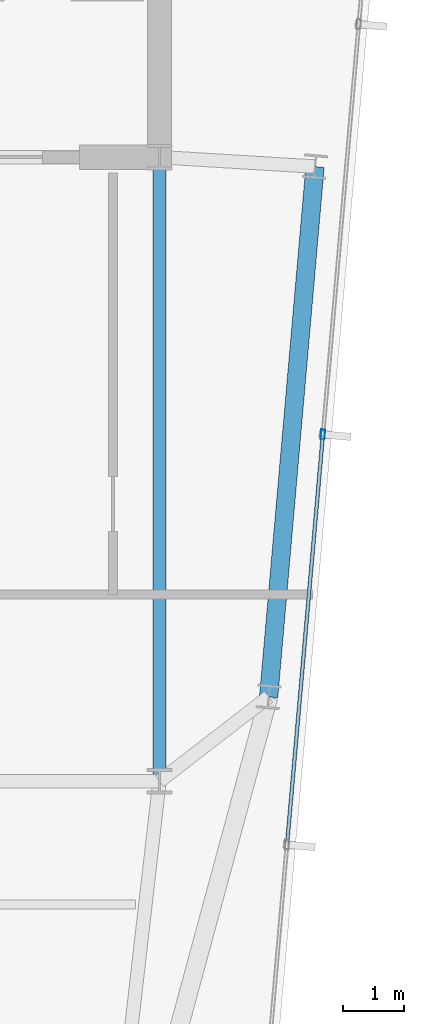
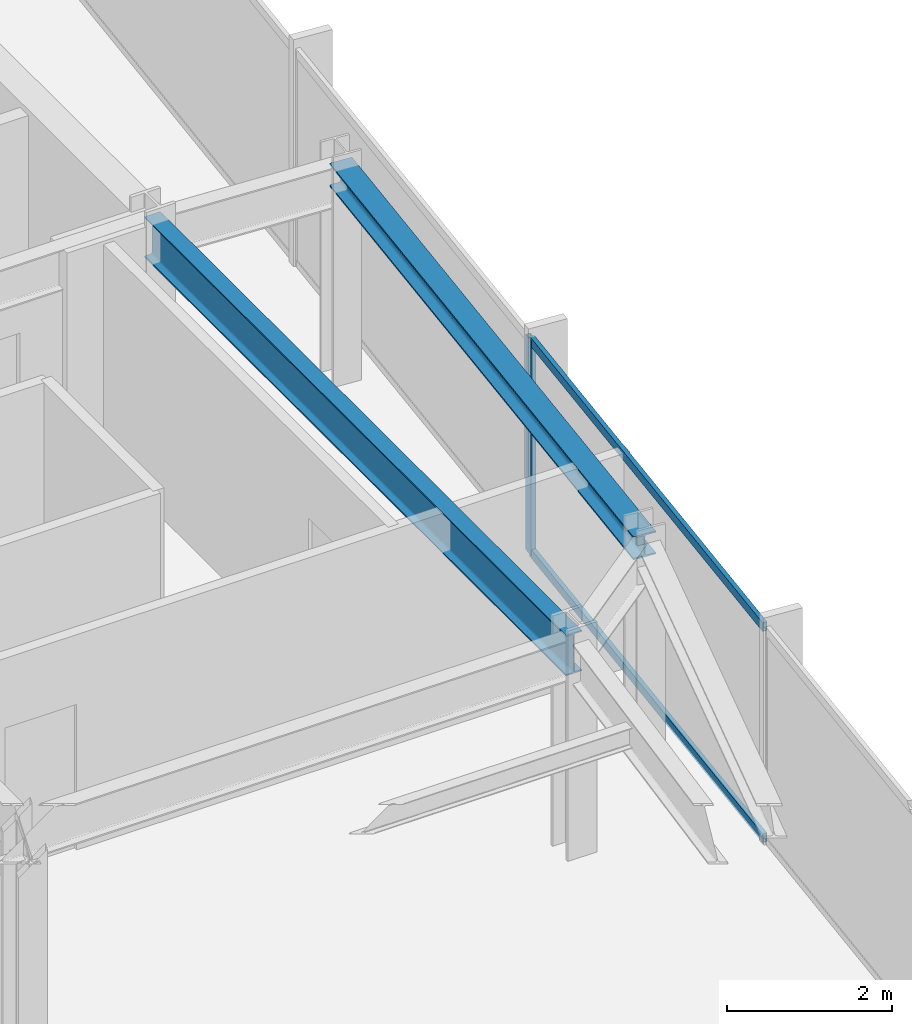
# One storey, part 17 of 32: 3 members, 2 beams, 1 element without a shape of its own.
"""IFC4 building model written with IfcOpenShell, lengths in metres."""

from ifc_helpers import new_model, si_unit, direction, frame, origin, origin_2d, place, context, subcontext, project, spatial, hollow_rectangle, i_section, extrude, material, material_profile, profile_set, type_object, element, aggregate, save


model = new_model("IFC4")

# Units and contexts
model_context = context("Model", 3, precision=1e-05, world=origin(), true_north=direction((0.0, 1.0)))
body_context = subcontext(model_context, "Body", "Model", "MODEL_VIEW")
ifc_project = project(units=[si_unit("LENGTHUNIT", "METRE"), si_unit("AREAUNIT", "SQUARE_METRE"), si_unit("VOLUMEUNIT", "CUBIC_METRE"), si_unit("PLANEANGLEUNIT", "RADIAN"), si_unit("MASSUNIT", "GRAM", prefix="KILO")], contexts=[model_context])

# Site, building, storey
site_placement = place(None, origin())
site = spatial("IfcSite", under=ifc_project, at=site_placement, CompositionType="ELEMENT")
building_placement = place(site_placement, origin())
building = spatial("IfcBuilding", under=site, at=building_placement, Name="Yelkora Congress Tower", CompositionType="ELEMENT")
storey_placement = place(building_placement, frame((0.0, 0.0, 272.699951171875)))
storey = spatial("IfcBuildingStorey", under=building, at=storey_placement, Name="L76", CompositionType="ELEMENT", Elevation=272.699951171875)

# Beams
ifc_material_1 = material(Name="Steel S355J2", Category="steel")
ifc_material_profile_1 = material_profile(ifc_material_1, i_section(OverallWidth=0.219970703125, OverallDepth=0.60009765625, WebThickness=0.011962890625, FlangeThickness=0.01904296875, FilletRadius=0.02392578125, at=origin_2d()), Name="IPE 600")
ifc_profile_set_1 = profile_set([ifc_material_profile_1], Name="Steel S355J2")
beam_type_1 = type_object("IfcBeamType", Name="BM-GIRD-IPE600", PredefinedType="BEAM", material=ifc_profile_set_1)
beam_1_placement = place(storey_placement, frame((53.760009765625, 25.199951171875, 2.880126953125), z_axis=(0.0, 1.0, 0.0), x_axis=(-1.0, 0.0, 0.0)))
element("IfcBeam", 1, at=beam_1_placement, inside=storey, type_object=beam_type_1, Name="L76 Core Tie Girder MC-D5", PredefinedType="BEAM", context=body_context, shape_type="SweptSolid", body=[
    extrude(i_section(OverallWidth=0.219970703125, OverallDepth=0.60009765625, WebThickness=0.011962890625, FlangeThickness=0.01904296875, FilletRadius=0.02392578125, at=origin_2d()), origin(), (0.0, 0.0, 1.0), 10.199951171875),
])
ifc_material_profile_2 = material_profile(ifc_material_1, i_section(OverallWidth=0.300048828125, OverallDepth=0.340087890625, WebThickness=0.011962890625, FlangeThickness=0.021484375, FilletRadius=0.027099609375, at=origin_2d()), Name="HEB 340")
ifc_profile_set_2 = profile_set([ifc_material_profile_2], Name="Steel S355J2")
beam_type_2 = type_object("IfcBeamType", Name="BM-SPAN-HEB340", PredefinedType="SPANDREL", material=ifc_profile_set_2)
beam_2_placement = place(storey_placement, frame((55.543701171875, 26.57861328125, 3.010009765625), z_axis=(0.08715998813, 0.99619432666, 0.0), x_axis=(-0.99619432666, 0.08715998813, 0.0)))
element("IfcBeam", 2, at=beam_2_placement, inside=storey, type_object=beam_type_2, Name="L76 Perimeter Beam 8", PredefinedType="SPANDREL", context=body_context, shape_type="SweptSolid", body=[
    extrude(i_section(OverallWidth=0.300048828125, OverallDepth=0.340087890625, WebThickness=0.011962890625, FlangeThickness=0.021484375, FilletRadius=0.027099609375, at=origin_2d()), origin(), (0.0, 0.0, 1.0), 8.7001953125),
])

# Curtain wall, members
ifc_material_2 = material(Name="Anodised aluminium and insulated glass", Category="aluminium")
curtain_wall_type = type_object("IfcCurtainWallType", Name="CW-SYS-B5", PredefinedType="NOTDEFINED", material=ifc_material_2)
curtain_wall_placement = place(storey_placement, origin())
curtain_wall = element("IfcCurtainWall", 3, at=curtain_wall_placement, inside=storey, type_object=curtain_wall_type, Name="L76 Unitised Curtain Wall 15", PredefinedType="NOTDEFINED")
ifc_material_3 = material(Name="Anodised aluminium 6063-T6", Category="aluminium")
ifc_material_profile_3 = material_profile(ifc_material_3, hollow_rectangle(XDim=0.06494140625, YDim=0.159912109375, WallThickness=0.00390625, at=origin_2d()), Name="ALU 65x160x4")
ifc_profile_set_3 = profile_set([ifc_material_profile_3], Name="Anodised aluminium 6063-T6")
member_type_1 = type_object("IfcMemberType", Name="MEM-ML-B5", PredefinedType="MULLION", material=ifc_profile_set_3)
member_1_placement = place(storey_placement, frame((56.430908203125, 30.867431640625, 0.0), z_axis=(0.0, 0.0, 1.0), x_axis=(0.996194463398, -0.087158425264, 0.0)))
member_1 = element("IfcMember", 4, at=member_1_placement, type_object=member_type_1, Name="CW-B5 mullion 3", PredefinedType="MULLION", context=body_context, shape_type="SweptSolid", body=[
    extrude(hollow_rectangle(XDim=0.06494140625, YDim=0.159912109375, WallThickness=0.00390625, at=origin_2d()), origin(), (0.0, 0.0, 1.0), 3.179931640625),
])
ifc_material_profile_4 = material_profile(ifc_material_3, hollow_rectangle(XDim=0.06005859375, YDim=0.1298828125, WallThickness=0.00390625, at=origin_2d()), Name="ALU 60x130x4")
ifc_profile_set_4 = profile_set([ifc_material_profile_4], Name="Anodised aluminium 6063-T6")
member_type_2 = type_object("IfcMemberType", Name="MEM-TR-B5", PredefinedType="USERDEFINED", material=ifc_profile_set_4)
member_2_placement = place(storey_placement, frame((56.42822265625, 30.835205078125, 0.030029296875), z_axis=(-0.087179673403, -0.996192604141, 0.0), x_axis=(0.996192604141, -0.087179673403, 0.0)))
member_2 = element("IfcMember", 5, at=member_2_placement, type_object=member_type_2, Name="CW-B5 transom 3.1", ObjectType="TRANSOM", PredefinedType="USERDEFINED", context=body_context, shape_type="SweptSolid", body=[
    extrude(hollow_rectangle(XDim=0.06005859375, YDim=0.1298828125, WallThickness=0.00390625, at=origin_2d()), origin(), (0.0, 0.0, 1.0), 6.6650390625),
])
member_3_placement = place(storey_placement, frame((56.42822265625, 30.835205078125, 3.150146484375), z_axis=(-0.087179673403, -0.996192604141, 0.0), x_axis=(0.996192604141, -0.087179673403, 0.0)))
member_3 = element("IfcMember", 6, at=member_3_placement, type_object=member_type_2, Name="CW-B5 transom 3.2", ObjectType="TRANSOM", PredefinedType="USERDEFINED", context=body_context, shape_type="SweptSolid", body=[
    extrude(hollow_rectangle(XDim=0.06005859375, YDim=0.1298828125, WallThickness=0.00390625, at=origin_2d()), origin(), (0.0, 0.0, 1.0), 6.6650390625),
])
aggregate(curtain_wall, [member_1, member_2, member_3])

save(model, "model.ifc")
